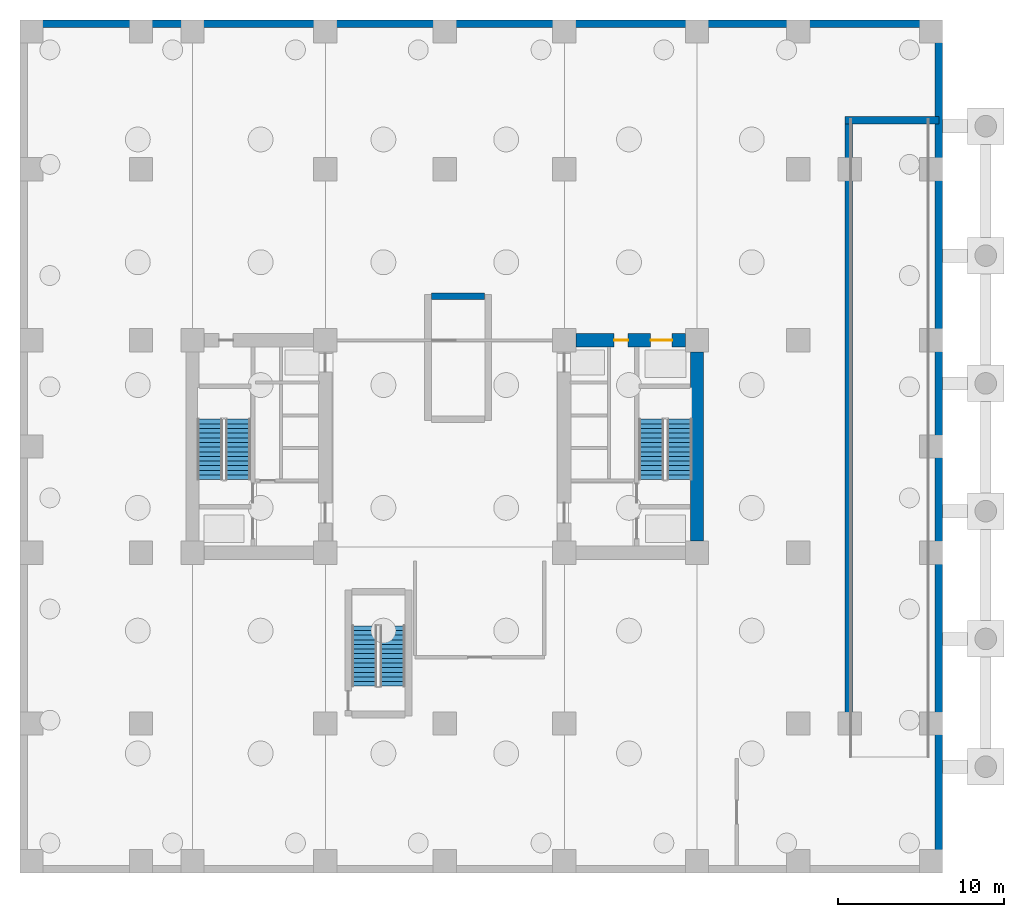
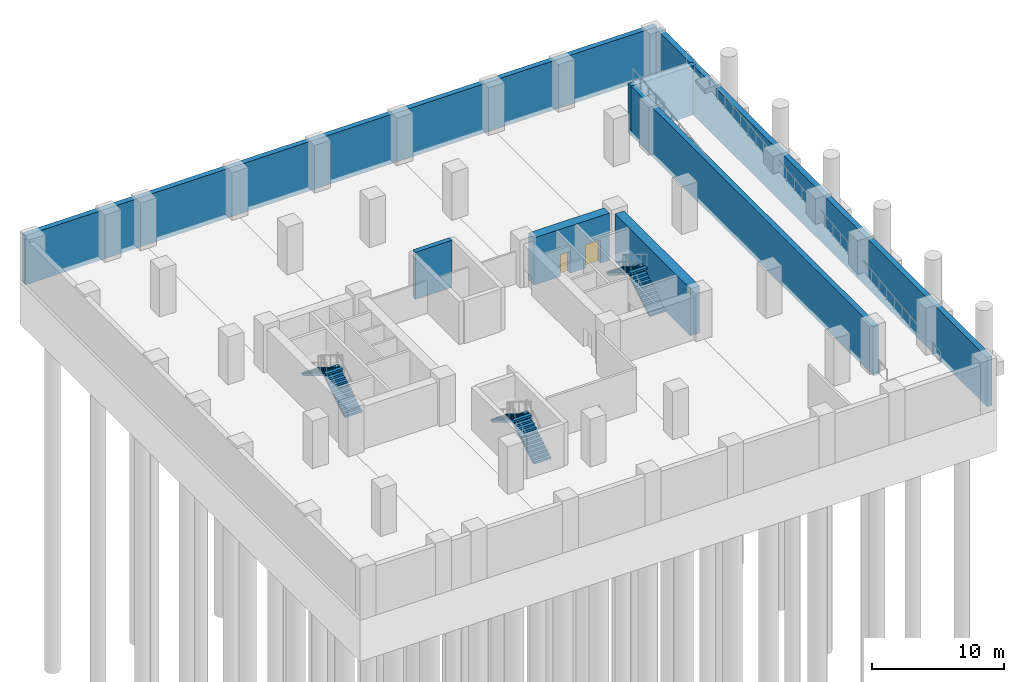
# One storey, part 3 of 6: 7 walls, 6 stair flights, 2 doors, 2 openings, 3 elements without a shape of their own.
"""IFC4 building model written with IfcOpenShell, lengths in metres."""

from ifc_helpers import new_model, si_unit, direction, frame, frame_2d, origin, place, context, subcontext, project, spatial, polyline, rectangle, outline, extrude, material, layer, layer_set, type_object, element, fill, aggregate, save


model = new_model("IFC4")

# Units and contexts
model_context = context("Model", 3, precision=1e-05, world=origin(), true_north=direction((0.0, 1.0)))
body_context = subcontext(model_context, "Body", "Model", "MODEL_VIEW")
ifc_project = project(units=[si_unit("LENGTHUNIT", "METRE"), si_unit("AREAUNIT", "SQUARE_METRE"), si_unit("VOLUMEUNIT", "CUBIC_METRE"), si_unit("PLANEANGLEUNIT", "RADIAN"), si_unit("MASSUNIT", "GRAM", prefix="KILO")], contexts=[model_context])

# Site, building, storey
site_placement = place(None, origin())
site = spatial("IfcSite", under=ifc_project, at=site_placement, CompositionType="ELEMENT")
building_placement = place(site_placement, origin())
building = spatial("IfcBuilding", under=site, at=building_placement, Name="Kranthara Brick Stack", CompositionType="ELEMENT")
storey_placement = place(building_placement, frame((0.0, 0.0, -4.800048828125)))
storey = spatial("IfcBuildingStorey", under=building, at=storey_placement, Name="B01", CompositionType="ELEMENT", Elevation=-4.800048828125)

# Walls
ifc_material_1 = material(Name="Concrete C50/60", Category="concrete")
ifc_layer_1 = layer(ifc_material_1, 0.39990234375)
ifc_layer_set_1 = layer_set([ifc_layer_1], Name="Concrete C50/60")
wall_type_1 = type_object("IfcWallType", Name="WL-CORE-400", PredefinedType="SHEAR", material=ifc_layer_set_1)
wall_1_placement = place(storey_placement, frame((27.199951171875, 36.25, 0.0), z_axis=(0.0, 0.0, 1.0), x_axis=(1.0, 0.0, 0.0)))
element("IfcWall", 1, at=wall_1_placement, inside=storey, type_object=wall_type_1, Name="B01 Stair ST04 Bearing Wall N", PredefinedType="SHEAR", context=body_context, shape_type="SweptSolid", body=[
    extrude(rectangle(XDim=3.199951171875, YDim=0.39990234375, at=frame_2d((1.60009765625, 0.0))), origin(), (0.0, 0.0, 1.0), 4.35009765625),
])
ifc_material_2 = material(Name="Concrete C70/85", Category="concrete")
ifc_layer_2 = layer(ifc_material_2, 0.800048828125)
ifc_layer_set_2 = layer_set([ifc_layer_2], Name="Concrete C70/85")
wall_type_2 = type_object("IfcWallType", Name="WL-CORE-800", PredefinedType="SHEAR", material=ifc_layer_set_2)
wall_2_placement = place(storey_placement, frame((43.199951171875, 21.5048828125, 0.0), z_axis=(0.0, 0.0, 1.0), x_axis=(0.0, 1.0, 0.0)))
element("IfcWall", 2, at=wall_2_placement, inside=storey, type_object=wall_type_2, Name="B01 East Core Shear Wall East", PredefinedType="SHEAR", context=body_context, shape_type="SweptSolid", body=[
    extrude(rectangle(XDim=11.39013671875, YDim=0.800048828125, at=frame_2d((5.695068359375, 0.0))), origin(), (0.0, 0.0, 1.0), 4.35009765625),
])

# Wall, openings, doors
wall_3_placement = place(storey_placement, frame((35.905029296875, 33.60009765625, 0.0), z_axis=(0.0, 0.0, 1.0), x_axis=(1.0, 0.0, 0.0)))
wall_3 = element("IfcWall", 3, at=wall_3_placement, inside=storey, type_object=wall_type_2, Name="B01 East Core Shear Wall North", PredefinedType="SHEAR", context=body_context, shape_type="SweptSolid", body=[
    extrude(rectangle(XDim=6.590087890625, YDim=0.800048828125, at=frame_2d((3.294921875, 0.0))), origin(), (0.0, 0.0, 1.0), 4.35009765625),
])
opening_1_placement = place(wall_3_placement, frame((4.4951171875, 0.0, 0.0)))
opening_1 = element("IfcOpeningElement", 4, at=opening_1_placement, cuts=wall_3, Name="Opening LD03", PredefinedType="OPENING", context=body_context, shape_type="SweptSolid", body=[
    extrude(rectangle(XDim=1.300048828125, YDim=2.14990234375, at=frame_2d((0.64990234375, 1.074951171875))), frame((0.0, 0.409912109375, 0.0), z_axis=(0.0, -1.0, 0.0), x_axis=(1.0, 0.0, 0.0)), (0.0, 0.0, 1.0), 0.820068359375),
])
opening_2_placement = place(wall_3_placement, frame((2.294921875, 0.0, 0.0)))
opening_2 = element("IfcOpeningElement", 5, at=opening_2_placement, cuts=wall_3, Name="Opening D10", PredefinedType="OPENING", context=body_context, shape_type="SweptSolid", body=[
    extrude(rectangle(XDim=0.85009765625, YDim=2.02001953125, at=frame_2d((0.425048828125, 1.010009765625))), frame((0.0, 0.409912109375, 0.0), z_axis=(0.0, -1.0, 0.0), x_axis=(1.0, 0.0, 0.0)), (0.0, 0.0, 1.0), 0.820068359375),
])
ifc_material_3 = material(Name="Stainless steel sliding landing door", Category="steel")
door_type_1 = type_object("IfcDoorType", Name="DR-LD-SV1300", OperationType="DOUBLE_DOOR_SLIDING", PredefinedType="DOOR", material=ifc_material_3)
door_1_placement = place(opening_1_placement, origin())
door_1 = element("IfcDoor", 6, at=door_1_placement, inside=storey, type_object=door_type_1, Name="B01 Stretcher Service Lift SV-01 Landing Door", OperationType="DOUBLE_DOOR_SLIDING", OverallHeight=2.14990234375, OverallWidth=1.300048828125, PredefinedType="DOOR", context=body_context, shape_type="SweptSolid", body=[
    extrude(rectangle(XDim=1.300048828125, YDim=2.14990234375, at=frame_2d((0.64990234375, 1.074951171875))), frame((0.0, 0.02490234375, 0.0), z_axis=(0.0, -1.0, 0.0), x_axis=(1.0, 0.0, 0.0)), (0.0, 0.0, 1.0), 0.050048828125),
])
fill(opening_1, door_1)
ifc_material_4 = material(Name="Solid-core hardwood timber leaf in steel frame", Category="steel")
door_type_2 = type_object("IfcDoorType", Name="DR-RSR-850", OperationType="NOTDEFINED", PredefinedType="DOOR", material=ifc_material_4)
door_2_placement = place(opening_2_placement, origin())
door_2 = element("IfcDoor", 7, at=door_2_placement, inside=storey, type_object=door_type_2, Name="B01 East Core Service Room Door", OperationType="SINGLE_SWING_LEFT", OverallHeight=2.02001953125, OverallWidth=0.85009765625, PredefinedType="DOOR", context=body_context, shape_type="SweptSolid", body=[
    extrude(rectangle(XDim=0.85009765625, YDim=2.02001953125, at=frame_2d((0.425048828125, 1.010009765625))), frame((0.0, 0.02490234375, 0.0), z_axis=(0.0, -1.0, 0.0), x_axis=(1.0, 0.0, 0.0)), (0.0, 0.0, 1.0), 0.050048828125),
])
fill(opening_2, door_2)

# Walls
ifc_material_5 = material(Name="Concrete C50/60", Category="concrete")
ifc_layer_3 = layer(ifc_material_5, 0.449951171875)
ifc_layer_set_3 = layer_set([ifc_layer_3], Name="Concrete C50/60")
wall_type_3 = type_object("IfcWallType", Name="WL-RET-450", PredefinedType="SOLIDWALL", material=ifc_layer_set_3)
wall_4_placement = place(storey_placement, frame((57.77490234375, 2.175048828125, 0.0), z_axis=(0.0, 0.0, 1.0), x_axis=(0.0, 1.0, 0.0)))
element("IfcWall", 8, at=wall_4_placement, inside=storey, type_object=wall_type_3, Name="B01 Perimeter Retaining Wall E", PredefinedType="SOLIDWALL", context=body_context, shape_type="SweptSolid", body=[
    extrude(rectangle(XDim=50.050048828125, YDim=0.449951171875, at=frame_2d((25.02490234375, 0.0))), origin(), (0.0, 0.0, 1.0), 4.550048828125),
])
wall_5_placement = place(storey_placement, frame((57.77490234375, 52.675048828125, 0.0), z_axis=(0.0, 0.0, 1.0), x_axis=(-1.0, 0.0, 0.0)))
element("IfcWall", 9, at=wall_5_placement, inside=storey, type_object=wall_type_3, Name="B01 Perimeter Retaining Wall N", PredefinedType="SOLIDWALL", context=body_context, shape_type="SweptSolid", body=[
    extrude(rectangle(XDim=55.14990234375, YDim=0.449951171875, at=frame_2d((27.574951171875, 0.0))), origin(), (0.0, 0.0, 1.0), 4.550048828125),
])
wall_6_placement = place(storey_placement, frame((52.125, 46.85009765625, 0.0), z_axis=(0.0, 0.0, 1.0), x_axis=(1.0, 0.0, 0.0)))
element("IfcWall", 10, at=wall_6_placement, inside=storey, type_object=wall_type_3, Name="B01 Vehicle Ramp Head Bearing Wall", PredefinedType="SOLIDWALL", context=body_context, shape_type="SweptSolid", body=[
    extrude(rectangle(XDim=5.64990234375, YDim=0.449951171875, at=frame_2d((2.824951171875, 0.0))), origin(), (0.0, 0.0, 1.0), 4.550048828125),
])
wall_7_placement = place(storey_placement, frame((52.35009765625, 10.0, 0.0), z_axis=(0.0, 0.0, 1.0), x_axis=(0.0, 1.0, 0.0)))
element("IfcWall", 11, at=wall_7_placement, inside=storey, type_object=wall_type_3, Name="B01 Vehicle Ramp Cheek Bearing Wall", PredefinedType="SOLIDWALL", context=body_context, shape_type="SweptSolid", body=[
    extrude(rectangle(XDim=36.85009765625, YDim=0.449951171875, at=frame_2d((18.425048828125, 0.0))), origin(), (0.0, 0.0, 1.0), 4.550048828125),
])

# Stair, stair flights
ifc_material_6 = material(Name="Concrete C45/55", Category="concrete")
stair_type = type_object("IfcStairType", Name="ST-CORE-28R", PredefinedType="HALF_TURN_STAIR", material=ifc_material_6)
stair_1_placement = place(storey_placement, origin())
stair_1 = element("IfcStair", 12, at=stair_1_placement, inside=storey, type_object=stair_type, Name="B01 West Core Protected Exit Stair ST01", PredefinedType="HALF_TURN_STAIR")
ifc_material_7 = material(Name="Concrete C45/55", Category="concrete")
stair_flight_type = type_object("IfcStairFlightType", Name="SFL-RC-28R", PredefinedType="STRAIGHT", material=ifc_material_7)
stair_flight_1_placement = place(storey_placement, frame((15.550048828125, 25.199951171875, 0.0), z_axis=(0.0, 0.0, 1.0), x_axis=(0.0, 1.0, 0.0)))
stair_flight_1 = element("IfcStairFlight", 13, at=stair_flight_1_placement, type_object=stair_flight_type, Name="ST01 flight 1", NumberOfRisers=14, NumberOfTreads=13, PredefinedType="STRAIGHT", RiserHeight=0.171428571, TreadLength=0.28, context=body_context, shape_type="SweptSolid", body=[
    extrude(outline(polyline([(0.0, 0.0), (0.0, 0.17138671875), (0.280029296875, 0.17138671875), (0.280029296875, 0.3427734375), (0.56005859375, 0.3427734375), (0.56005859375, 0.514404296875), (0.840087890625, 0.514404296875), (0.840087890625, 0.685791015625), (1.1201171875, 0.685791015625), (1.1201171875, 0.857177734375), (1.39990234375, 0.857177734375), (1.39990234375, 1.028564453125), (1.679931640625, 1.028564453125), (1.679931640625, 1.199951171875), (1.9599609375, 1.199951171875), (1.9599609375, 1.371337890625), (2.239990234375, 1.371337890625), (2.239990234375, 1.54296875), (2.52001953125, 1.54296875), (2.52001953125, 1.71435546875), (2.800048828125, 1.71435546875), (2.800048828125, 1.8857421875), (3.080078125, 1.8857421875), (3.080078125, 2.05712890625), (3.360107421875, 2.05712890625), (3.360107421875, 2.228515625), (3.639892578125, 2.228515625), (3.639892578125, 2.39990234375), (3.639892578125, 2.052734375), (0.287109375, 0.0), (0.0, 0.0)])), frame((0.0, 0.75, 0.0), z_axis=(0.0, -1.0, 0.0), x_axis=(1.0, 0.0, 0.0)), (0.0, 0.0, 1.0), 1.5),
])
stair_flight_2_placement = place(storey_placement, frame((13.85009765625, 28.840087890625, 2.400146484375), z_axis=(0.0, 0.0, 1.0), x_axis=(0.0, -1.0, 0.0)))
stair_flight_2 = element("IfcStairFlight", 14, at=stair_flight_2_placement, type_object=stair_flight_type, Name="ST01 flight 2", NumberOfRisers=14, NumberOfTreads=13, PredefinedType="STRAIGHT", RiserHeight=0.171428571, TreadLength=0.28, context=body_context, shape_type="SweptSolid", body=[
    extrude(outline(polyline([(0.0, 0.0), (0.0, 0.17138671875), (0.280029296875, 0.17138671875), (0.280029296875, 0.3427734375), (0.56005859375, 0.3427734375), (0.56005859375, 0.514404296875), (0.840087890625, 0.514404296875), (0.840087890625, 0.685791015625), (1.1201171875, 0.685791015625), (1.1201171875, 0.857177734375), (1.39990234375, 0.857177734375), (1.39990234375, 1.028564453125), (1.679931640625, 1.028564453125), (1.679931640625, 1.199951171875), (1.9599609375, 1.199951171875), (1.9599609375, 1.371337890625), (2.239990234375, 1.371337890625), (2.239990234375, 1.54296875), (2.52001953125, 1.54296875), (2.52001953125, 1.71435546875), (2.800048828125, 1.71435546875), (2.800048828125, 1.8857421875), (3.080078125, 1.8857421875), (3.080078125, 2.05712890625), (3.360107421875, 2.05712890625), (3.360107421875, 2.228515625), (3.639892578125, 2.228515625), (3.639892578125, 2.39990234375), (3.639892578125, 2.052734375), (0.287109375, 0.0), (0.0, 0.0)])), frame((0.0, 0.75, 0.0), z_axis=(0.0, -1.0, 0.0), x_axis=(1.0, 0.0, 0.0)), (0.0, 0.0, 1.0), 1.5),
])
aggregate(stair_1, [stair_flight_1, stair_flight_2])

stair_2_placement = place(storey_placement, origin())
stair_2 = element("IfcStair", 15, at=stair_2_placement, inside=storey, type_object=stair_type, Name="B01 East Core Protected Exit Stair ST02", PredefinedType="HALF_TURN_STAIR")
stair_flight_3_placement = place(storey_placement, frame((42.14990234375, 25.199951171875, 0.0), z_axis=(0.0, 0.0, 1.0), x_axis=(0.0, 1.0, 0.0)))
stair_flight_3 = element("IfcStairFlight", 16, at=stair_flight_3_placement, type_object=stair_flight_type, Name="ST02 flight 1", NumberOfRisers=14, NumberOfTreads=13, PredefinedType="STRAIGHT", RiserHeight=0.171428571, TreadLength=0.28, context=body_context, shape_type="SweptSolid", body=[
    extrude(outline(polyline([(0.0, 0.0), (0.0, 0.17138671875), (0.280029296875, 0.17138671875), (0.280029296875, 0.3427734375), (0.56005859375, 0.3427734375), (0.56005859375, 0.514404296875), (0.840087890625, 0.514404296875), (0.840087890625, 0.685791015625), (1.1201171875, 0.685791015625), (1.1201171875, 0.857177734375), (1.39990234375, 0.857177734375), (1.39990234375, 1.028564453125), (1.679931640625, 1.028564453125), (1.679931640625, 1.199951171875), (1.9599609375, 1.199951171875), (1.9599609375, 1.371337890625), (2.239990234375, 1.371337890625), (2.239990234375, 1.54296875), (2.52001953125, 1.54296875), (2.52001953125, 1.71435546875), (2.800048828125, 1.71435546875), (2.800048828125, 1.8857421875), (3.080078125, 1.8857421875), (3.080078125, 2.05712890625), (3.360107421875, 2.05712890625), (3.360107421875, 2.228515625), (3.639892578125, 2.228515625), (3.639892578125, 2.39990234375), (3.639892578125, 2.052734375), (0.287109375, 0.0), (0.0, 0.0)])), frame((0.0, 0.75, 0.0), z_axis=(0.0, -1.0, 0.0), x_axis=(1.0, 0.0, 0.0)), (0.0, 0.0, 1.0), 1.5),
])
stair_flight_4_placement = place(storey_placement, frame((40.449951171875, 28.840087890625, 2.400146484375), z_axis=(0.0, 0.0, 1.0), x_axis=(0.0, -1.0, 0.0)))
stair_flight_4 = element("IfcStairFlight", 17, at=stair_flight_4_placement, type_object=stair_flight_type, Name="ST02 flight 2", NumberOfRisers=14, NumberOfTreads=13, PredefinedType="STRAIGHT", RiserHeight=0.171428571, TreadLength=0.28, context=body_context, shape_type="SweptSolid", body=[
    extrude(outline(polyline([(0.0, 0.0), (0.0, 0.17138671875), (0.280029296875, 0.17138671875), (0.280029296875, 0.3427734375), (0.56005859375, 0.3427734375), (0.56005859375, 0.514404296875), (0.840087890625, 0.514404296875), (0.840087890625, 0.685791015625), (1.1201171875, 0.685791015625), (1.1201171875, 0.857177734375), (1.39990234375, 0.857177734375), (1.39990234375, 1.028564453125), (1.679931640625, 1.028564453125), (1.679931640625, 1.199951171875), (1.9599609375, 1.199951171875), (1.9599609375, 1.371337890625), (2.239990234375, 1.371337890625), (2.239990234375, 1.54296875), (2.52001953125, 1.54296875), (2.52001953125, 1.71435546875), (2.800048828125, 1.71435546875), (2.800048828125, 1.8857421875), (3.080078125, 1.8857421875), (3.080078125, 2.05712890625), (3.360107421875, 2.05712890625), (3.360107421875, 2.228515625), (3.639892578125, 2.228515625), (3.639892578125, 2.39990234375), (3.639892578125, 2.052734375), (0.287109375, 0.0), (0.0, 0.0)])), frame((0.0, 0.75, 0.0), z_axis=(0.0, -1.0, 0.0), x_axis=(1.0, 0.0, 0.0)), (0.0, 0.0, 1.0), 1.5),
])
aggregate(stair_2, [stair_flight_3, stair_flight_4])

stair_3_placement = place(storey_placement, origin())
stair_3 = element("IfcStair", 18, at=stair_3_placement, inside=storey, type_object=stair_type, Name="B01 Podium South Protected Exit Stair ST03", PredefinedType="HALF_TURN_STAIR")
stair_flight_5_placement = place(storey_placement, frame((24.85009765625, 12.75, 0.0), z_axis=(0.0, 0.0, 1.0), x_axis=(0.0, 1.0, 0.0)))
stair_flight_5 = element("IfcStairFlight", 19, at=stair_flight_5_placement, type_object=stair_flight_type, Name="ST03 flight 1", NumberOfRisers=14, NumberOfTreads=13, PredefinedType="STRAIGHT", RiserHeight=0.171428571, TreadLength=0.28, context=body_context, shape_type="SweptSolid", body=[
    extrude(outline(polyline([(0.0, 0.0), (0.0, 0.17138671875), (0.280029296875, 0.17138671875), (0.280029296875, 0.3427734375), (0.56005859375, 0.3427734375), (0.56005859375, 0.514404296875), (0.840087890625, 0.514404296875), (0.840087890625, 0.685791015625), (1.1201171875, 0.685791015625), (1.1201171875, 0.857177734375), (1.39990234375, 0.857177734375), (1.39990234375, 1.028564453125), (1.679931640625, 1.028564453125), (1.679931640625, 1.199951171875), (1.9599609375, 1.199951171875), (1.9599609375, 1.371337890625), (2.239990234375, 1.371337890625), (2.239990234375, 1.54296875), (2.52001953125, 1.54296875), (2.52001953125, 1.71435546875), (2.800048828125, 1.71435546875), (2.800048828125, 1.8857421875), (3.080078125, 1.8857421875), (3.080078125, 2.05712890625), (3.360107421875, 2.05712890625), (3.360107421875, 2.228515625), (3.639892578125, 2.228515625), (3.639892578125, 2.39990234375), (3.639892578125, 2.052734375), (0.287109375, 0.0), (0.0, 0.0)])), frame((0.0, 0.75, 0.0), z_axis=(0.0, -1.0, 0.0), x_axis=(1.0, 0.0, 0.0)), (0.0, 0.0, 1.0), 1.5),
])
stair_flight_6_placement = place(storey_placement, frame((23.14990234375, 16.389892578125, 2.400146484375), z_axis=(0.0, 0.0, 1.0), x_axis=(0.0, -1.0, 0.0)))
stair_flight_6 = element("IfcStairFlight", 20, at=stair_flight_6_placement, type_object=stair_flight_type, Name="ST03 flight 2", NumberOfRisers=14, NumberOfTreads=13, PredefinedType="STRAIGHT", RiserHeight=0.171428571, TreadLength=0.28, context=body_context, shape_type="SweptSolid", body=[
    extrude(outline(polyline([(0.0, 0.0), (0.0, 0.17138671875), (0.280029296875, 0.17138671875), (0.280029296875, 0.3427734375), (0.56005859375, 0.3427734375), (0.56005859375, 0.514404296875), (0.840087890625, 0.514404296875), (0.840087890625, 0.685791015625), (1.1201171875, 0.685791015625), (1.1201171875, 0.857177734375), (1.39990234375, 0.857177734375), (1.39990234375, 1.028564453125), (1.679931640625, 1.028564453125), (1.679931640625, 1.199951171875), (1.9599609375, 1.199951171875), (1.9599609375, 1.371337890625), (2.239990234375, 1.371337890625), (2.239990234375, 1.54296875), (2.52001953125, 1.54296875), (2.52001953125, 1.71435546875), (2.800048828125, 1.71435546875), (2.800048828125, 1.8857421875), (3.080078125, 1.8857421875), (3.080078125, 2.05712890625), (3.360107421875, 2.05712890625), (3.360107421875, 2.228515625), (3.639892578125, 2.228515625), (3.639892578125, 2.39990234375), (3.639892578125, 2.052734375), (0.287109375, 0.0), (0.0, 0.0)])), frame((0.0, 0.75, 0.0), z_axis=(0.0, -1.0, 0.0), x_axis=(1.0, 0.0, 0.0)), (0.0, 0.0, 1.0), 1.5),
])
aggregate(stair_3, [stair_flight_5, stair_flight_6])

save(model, "model.ifc")
